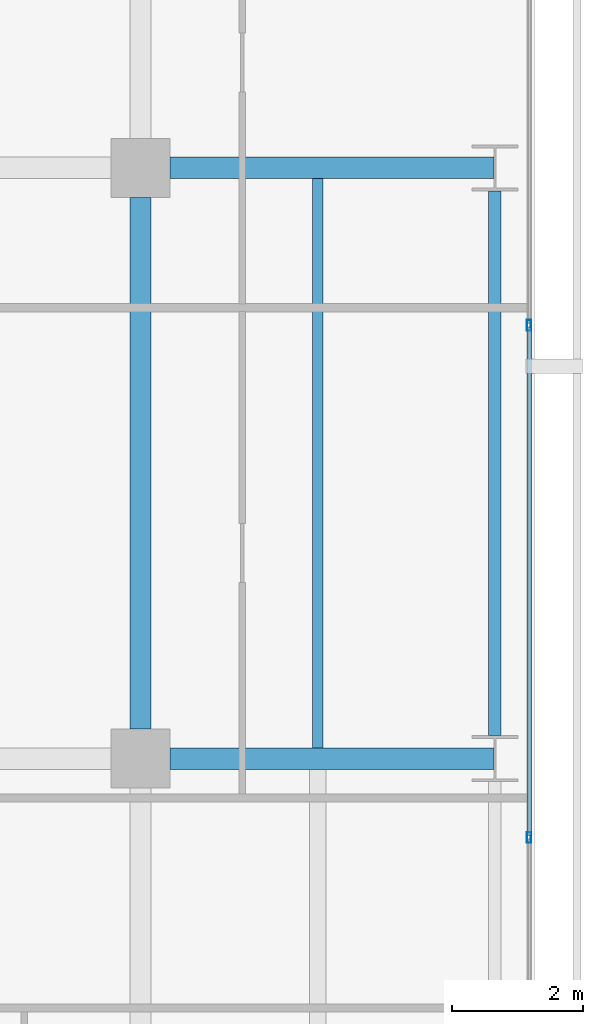
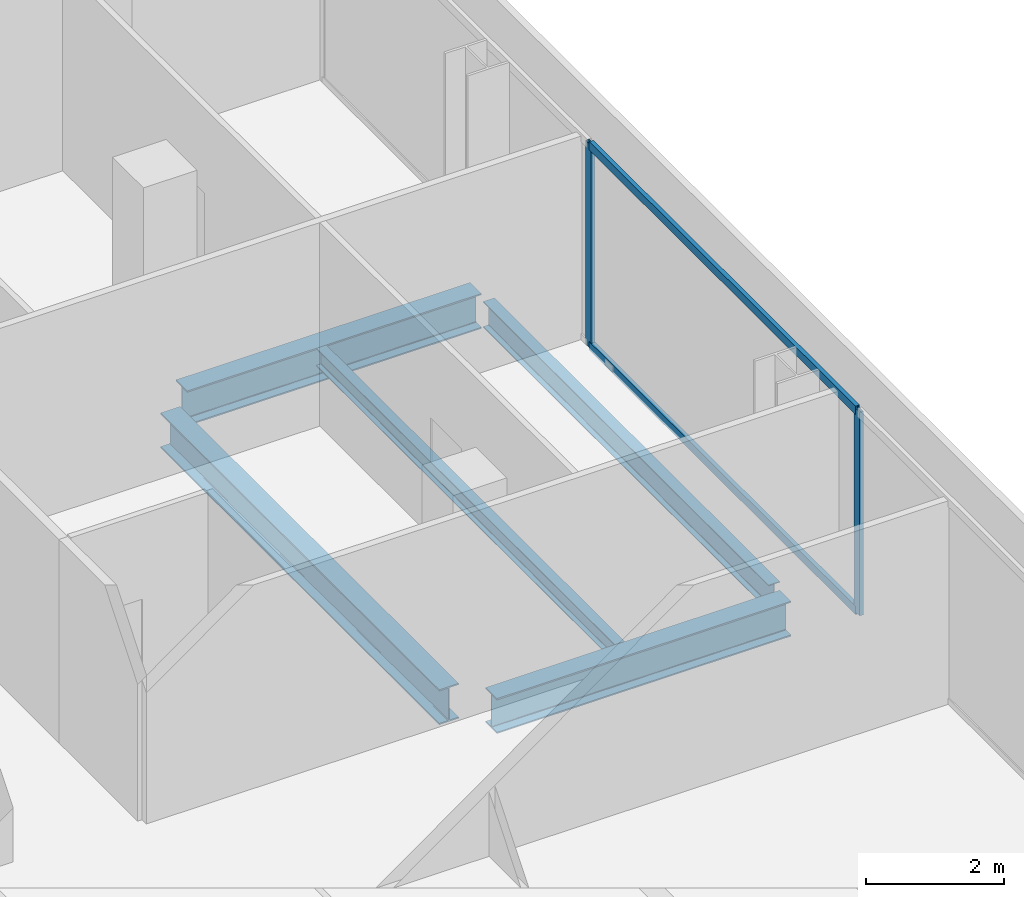
# One storey, part 28 of 39: 5 beams, 4 members, 1 element without a shape of its own.
"""IFC4 building model written with IfcOpenShell, lengths in metres."""

from ifc_helpers import new_model, si_unit, direction, frame, origin, origin_2d, place, context, subcontext, project, spatial, hollow_rectangle, i_section, extrude, material, layer, layer_set, material_profile, profile_set, type_object, element, aggregate, save


model = new_model("IFC4")

# Units and contexts
model_context = context("Model", 3, precision=1e-05, world=origin(), true_north=direction((0.0, 1.0)))
body_context = subcontext(model_context, "Body", "Model", "MODEL_VIEW")
ifc_project = project(units=[si_unit("LENGTHUNIT", "METRE"), si_unit("AREAUNIT", "SQUARE_METRE"), si_unit("VOLUMEUNIT", "CUBIC_METRE"), si_unit("PLANEANGLEUNIT", "RADIAN"), si_unit("MASSUNIT", "GRAM", prefix="KILO")], contexts=[model_context])

# Site, building, storey
site_placement = place(None, origin())
site = spatial("IfcSite", under=ifc_project, at=site_placement, CompositionType="ELEMENT")
building_placement = place(site_placement, origin())
building = spatial("IfcBuilding", under=site, at=building_placement, Name="Maruvema Waterfront Hotel and Observation Tower", CompositionType="ELEMENT")
storey_placement = place(building_placement, frame((0.0, 0.0, 46.199951171875)))
storey = spatial("IfcBuildingStorey", under=building, at=storey_placement, Name="L10", CompositionType="ELEMENT", Elevation=46.199951171875)

# Curtain wall, members
ifc_material_1 = material(Name="Anodised bronze aluminium and solar-control low-E IGU", Category="aluminium")
ifc_layer = layer(ifc_material_1, 0.159912109375, Name="Zone 1 Bronze Inner Thermal Curtain Wall System CW-02")
ifc_layer_set = layer_set([ifc_layer], Name="Anodised bronze aluminium and solar-control low-E IGU")
curtain_wall_type = type_object("IfcCurtainWallType", Name="Zone 1 Bronze Inner Thermal Curtain Wall System CW-02", PredefinedType="USERDEFINED", material=ifc_layer_set)
curtain_wall_placement = place(storey_placement, origin())
curtain_wall = element("IfcCurtainWall", 1, at=curtain_wall_placement, inside=storey, type_object=curtain_wall_type, Name="L10 Curtain Wall CW-L10-E", ObjectType="UNITISED CURTAIN WALL", PredefinedType="USERDEFINED")
ifc_material_2 = material(Name="Anodised architectural bronze aluminium", Category="aluminium")
ifc_material_profile_1 = material_profile(ifc_material_2, hollow_rectangle(XDim=0.070068359375, YDim=0.14990234375, WallThickness=0.00390625, at=origin_2d()), Name="ALU-T70x150")
ifc_profile_set_1 = profile_set([ifc_material_profile_1], Name="Anodised architectural bronze aluminium")
member_type_1 = type_object("IfcMemberType", Name="Curtain Wall Horizontal Transom ALU-T70x150", PredefinedType="USERDEFINED", material=ifc_profile_set_1)
member_1_placement = place(storey_placement, frame((64.719970703125, 34.830078125, 0.030029296875), z_axis=(0.0, 1.0, 0.0), x_axis=(-1.0, 0.0, 0.0)))
member_1 = element("IfcMember", 2, at=member_1_placement, type_object=member_type_1, Name="CW-02 transom 5.1", ObjectType="TRANSOM", PredefinedType="USERDEFINED", context=body_context, shape_type="SweptSolid", body=[
    extrude(hollow_rectangle(XDim=0.070068359375, YDim=0.14990234375, WallThickness=0.00390625, at=origin_2d()), origin(), (0.0, 0.0, 1.0), 7.739990234375),
])
member_2_placement = place(storey_placement, frame((64.719970703125, 34.830078125, 3.580078125), z_axis=(0.0, 1.0, 0.0), x_axis=(-1.0, 0.0, 0.0)))
member_2 = element("IfcMember", 3, at=member_2_placement, type_object=member_type_1, Name="CW-02 transom 5.2", ObjectType="TRANSOM", PredefinedType="USERDEFINED", context=body_context, shape_type="SweptSolid", body=[
    extrude(hollow_rectangle(XDim=0.070068359375, YDim=0.14990234375, WallThickness=0.00390625, at=origin_2d()), origin(), (0.0, 0.0, 1.0), 7.739990234375),
])
ifc_material_3 = material(Name="Anodised architectural bronze aluminium", Category="aluminium")
ifc_material_profile_2 = material_profile(ifc_material_3, hollow_rectangle(XDim=0.06494140625, YDim=0.1650390625, WallThickness=0.00390625, at=origin_2d()), Name="ALU-M65x165")
ifc_profile_set_2 = profile_set([ifc_material_profile_2], Name="Anodised architectural bronze aluminium")
member_type_2 = type_object("IfcMemberType", Name="Curtain Wall Primary Mullion ALU-M65x165", PredefinedType="MULLION", material=ifc_profile_set_2)
member_3_placement = place(storey_placement, frame((64.719970703125, 34.800048828125, 0.0), z_axis=(0.0, 0.0, 1.0), x_axis=(-1.0, 0.0, 0.0)))
member_3 = element("IfcMember", 4, at=member_3_placement, type_object=member_type_2, Name="CW-02 mullion 5", PredefinedType="MULLION", context=body_context, shape_type="SweptSolid", body=[
    extrude(hollow_rectangle(XDim=0.06494140625, YDim=0.1650390625, WallThickness=0.00390625, at=origin_2d()), origin(), (0.0, 0.0, 1.0), 3.610107421875),
])
member_4_placement = place(storey_placement, frame((64.719970703125, 42.60009765625, 0.0), z_axis=(0.0, 0.0, 1.0), x_axis=(-1.0, 0.0, 0.0)))
member_4 = element("IfcMember", 5, at=member_4_placement, type_object=member_type_2, Name="CW-02 mullion 6", PredefinedType="MULLION", context=body_context, shape_type="SweptSolid", body=[
    extrude(hollow_rectangle(XDim=0.06494140625, YDim=0.1650390625, WallThickness=0.00390625, at=origin_2d()), origin(), (0.0, 0.0, 1.0), 3.610107421875),
])
aggregate(curtain_wall, [member_3, member_4, member_1, member_2])

# Beams
ifc_material_4 = material(Name="Steel ASTM A572 Grade 50", Category="steel")
ifc_material_profile_3 = material_profile(ifc_material_4, i_section(OverallWidth=0.18994140625, OverallDepth=0.45703125, WebThickness=0.009033203125, FlangeThickness=0.014404296875, FilletRadius=0.014892578125, at=origin_2d()), Name="W460x74.0")
ifc_profile_set_3 = profile_set([ifc_material_profile_3], Name="Steel ASTM A572 Grade 50")
beam_type_1 = type_object("IfcBeamType", Name="Perimeter Spandrel Beam W460x74.0", PredefinedType="SPANDREL", material=ifc_profile_set_3)
beam_1_placement = place(storey_placement, frame((64.199951171875, 36.35009765625, -0.468505859375), z_axis=(0.0, 1.0, 0.0), x_axis=(-1.0, 0.0, 0.0)))
element("IfcBeam", 6, at=beam_1_placement, inside=storey, type_object=beam_type_1, Name="L10 Floor Girder NS-36", PredefinedType="SPANDREL", context=body_context, shape_type="SweptSolid", body=[
    extrude(i_section(OverallWidth=0.18994140625, OverallDepth=0.45703125, WebThickness=0.009033203125, FlangeThickness=0.014404296875, FilletRadius=0.014892578125, at=origin_2d()), origin(), (0.0, 0.0, 1.0), 8.2998046875),
])
ifc_material_5 = material(Name="Steel ASTM A572 Grade 50", Category="steel")
ifc_material_profile_4 = material_profile(ifc_material_5, i_section(OverallWidth=0.326904296875, OverallDepth=0.6220703125, WebThickness=0.015380859375, FlangeThickness=0.0244140625, FilletRadius=0.01806640625, at=origin_2d()), Name="W610x195.0")
ifc_profile_set_4 = profile_set([ifc_material_profile_4], Name="Steel ASTM A572 Grade 50")
beam_type_2 = type_object("IfcBeamType", Name="Primary Floor Girder W610x195.0", PredefinedType="BEAM", material=ifc_profile_set_4)
for number, where, z_axis, x_axis, name in (
    (7, (59.25, 36.0, -0.551025390625), (1.0, 0.0, 0.0), (0.0, 1.0, 0.0), "L10 Floor Girder EW-31"),
    (8, (59.25, 45.0, -0.551025390625), (1.0, 0.0, 0.0), (0.0, 1.0, 0.0), "L10 Floor Girder EW-35"),
):
    element("IfcBeam", number, at=place(storey_placement, frame(where, z_axis=z_axis, x_axis=x_axis)), inside=storey, type_object=beam_type_2, Name=name, PredefinedType="BEAM", context=body_context, shape_type="SweptSolid", body=[
        extrude(i_section(OverallWidth=0.326904296875, OverallDepth=0.6220703125, WebThickness=0.015380859375, FlangeThickness=0.0244140625, FilletRadius=0.01806640625, at=origin_2d()), origin(), (0.0, 0.0, 1.0), 4.93603515625),
    ])
beam_2_placement = place(storey_placement, frame((58.800048828125, 36.449951171875, -0.551025390625), z_axis=(0.0, 1.0, 0.0), x_axis=(-1.0, 0.0, 0.0)))
element("IfcBeam", 9, at=beam_2_placement, inside=storey, type_object=beam_type_2, Name="L10 Floor Girder NS-31", PredefinedType="BEAM", context=body_context, shape_type="SweptSolid", body=[
    extrude(i_section(OverallWidth=0.326904296875, OverallDepth=0.6220703125, WebThickness=0.015380859375, FlangeThickness=0.0244140625, FilletRadius=0.01806640625, at=origin_2d()), origin(), (0.0, 0.0, 1.0), 8.10009765625),
])
ifc_material_6 = material(Name="Steel ASTM A572 Grade 50", Category="steel")
ifc_material_profile_5 = material_profile(ifc_material_6, i_section(OverallWidth=0.1669921875, OverallDepth=0.31689453125, WebThickness=0.007568359375, FlangeThickness=0.01318359375, FilletRadius=0.012939453125, at=origin_2d()), Name="W310x52.0")
ifc_profile_set_5 = profile_set([ifc_material_profile_5], Name="Steel ASTM A572 Grade 50")
beam_type_3 = type_object("IfcBeamType", Name="Secondary Floor Joist W310x52.0", PredefinedType="JOIST", material=ifc_profile_set_5)
beam_3_placement = place(storey_placement, frame((61.5, 36.16357421875, -0.3984375), z_axis=(0.0, 1.0, 0.0), x_axis=(-1.0, 0.0, 0.0)))
element("IfcBeam", 10, at=beam_3_placement, inside=storey, type_object=beam_type_3, Name="L10 Secondary Floor Joist JS-24", PredefinedType="JOIST", context=body_context, shape_type="SweptSolid", body=[
    extrude(i_section(OverallWidth=0.1669921875, OverallDepth=0.31689453125, WebThickness=0.007568359375, FlangeThickness=0.01318359375, FilletRadius=0.012939453125, at=origin_2d()), origin(), (0.0, 0.0, 1.0), 8.6728515625),
])

save(model, "model.ifc")
